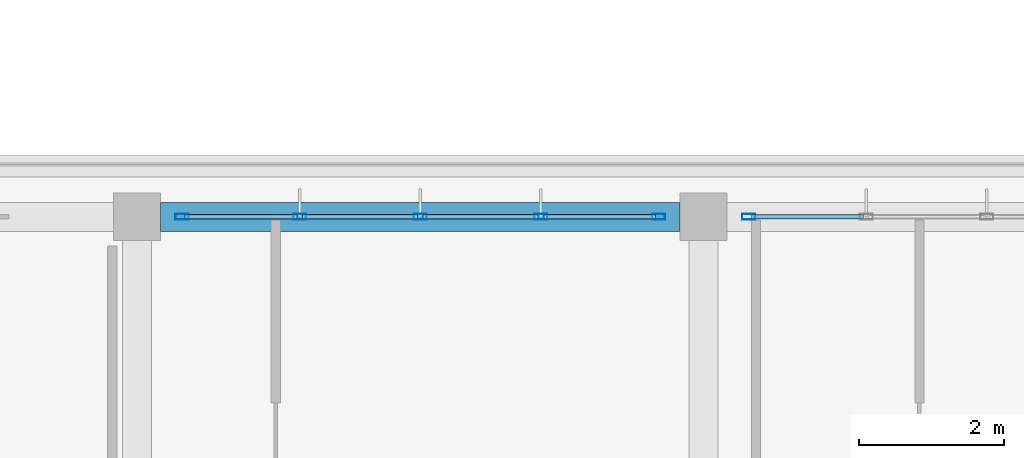
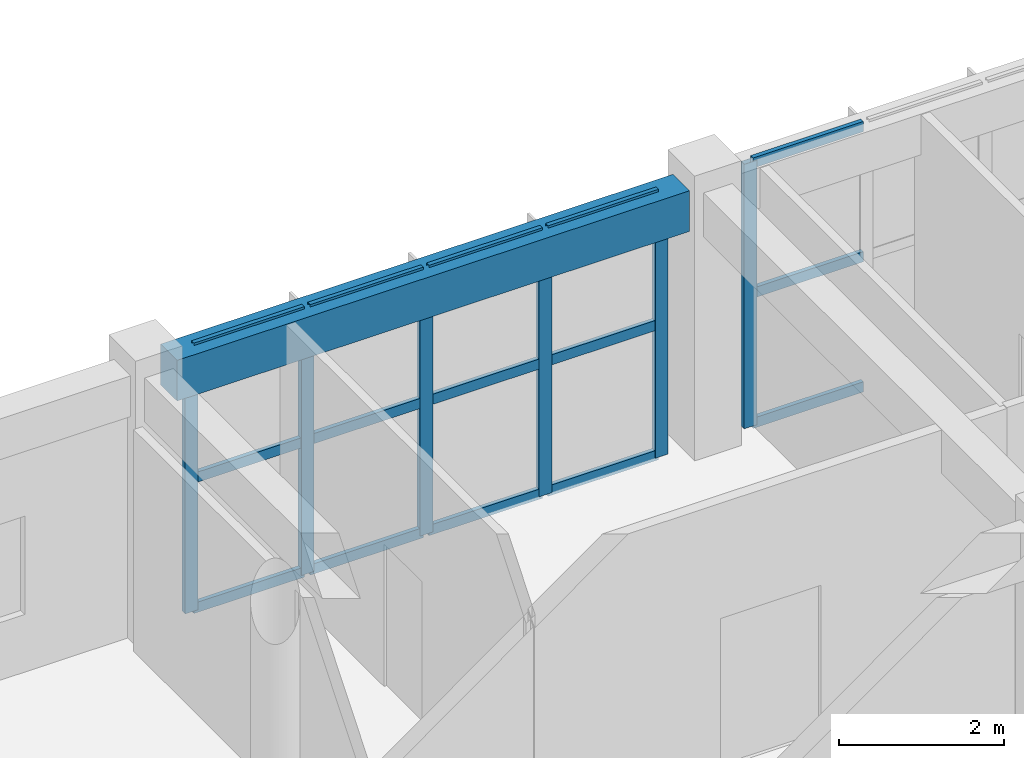
# One storey, part 11 of 57: 21 members, 1 beam, 2 elements without a shape of their own.
"""IFC4 building model written with IfcOpenShell, lengths in metres."""

from ifc_helpers import new_model, si_unit, direction, frame, origin, origin_2d, place, context, subcontext, project, spatial, rectangle, hollow_rectangle, extrude, material, layer, layer_set, material_profile, profile_set, type_object, element, aggregate, save


model = new_model("IFC4")

# Units and contexts
model_context = context("Model", 3, precision=1e-05, world=origin(), true_north=direction((0.0, 1.0)))
body_context = subcontext(model_context, "Body", "Model", "MODEL_VIEW")
ifc_project = project(units=[si_unit("LENGTHUNIT", "METRE"), si_unit("AREAUNIT", "SQUARE_METRE"), si_unit("VOLUMEUNIT", "CUBIC_METRE"), si_unit("PLANEANGLEUNIT", "RADIAN"), si_unit("MASSUNIT", "GRAM", prefix="KILO")], contexts=[model_context])

# Site, building, storey
site_placement = place(None, origin())
site = spatial("IfcSite", under=ifc_project, at=site_placement, CompositionType="ELEMENT")
building_placement = place(site_placement, origin())
building = spatial("IfcBuilding", under=site, at=building_placement, Name="Zizhar Promenade General Hospital", CompositionType="ELEMENT")
storey_placement = place(building_placement, frame((0.0, 0.0, 22.199951171875)))
storey = spatial("IfcBuildingStorey", under=building, at=storey_placement, Name="L05", CompositionType="ELEMENT", Elevation=22.199951171875)

# Beam
ifc_material_1 = material(Name="Concrete C35/45", Category="concrete")
ifc_material_profile_1 = material_profile(ifc_material_1, rectangle(XDim=0.39990234375, YDim=0.60009765625, at=origin_2d()))
ifc_profile_set_1 = profile_set([ifc_material_profile_1], Name="Concrete C35/45")
beam_type = type_object("IfcBeamType", Name="BM-RC-400x600", PredefinedType="JOIST", material=ifc_profile_set_1)
beam_placement = place(storey_placement, frame((39.324951171875, 25.199951171875, 3.610107421875), z_axis=(1.0, 0.0, 0.0), x_axis=(0.0, 1.0, 0.0)))
element("IfcBeam", 1, at=beam_placement, inside=storey, type_object=beam_type, Name="Grid Beam X L05 (5-3)", PredefinedType="JOIST", context=body_context, shape_type="SweptSolid", body=[
    extrude(rectangle(XDim=0.39990234375, YDim=0.60009765625, at=origin_2d()), origin(), (0.0, 0.0, 1.0), 7.150146484375),
])

# Curtain wall, members
ifc_material_2 = material(Name="Anodised aluminium 6063-T6 and low-E glass", Category="aluminium")
ifc_layer = layer(ifc_material_2, 0.159912109375)
ifc_layer_set = layer_set([ifc_layer], Name="Anodised aluminium 6063-T6 and low-E glass")
curtain_wall_type = type_object("IfcCurtainWallType", Name="CW-WARD-RIB", PredefinedType="NOTDEFINED", material=ifc_layer_set)
curtain_wall_1_placement = place(storey_placement, origin())
curtain_wall_1 = element("IfcCurtainWall", 2, at=curtain_wall_1_placement, inside=storey, type_object=curtain_wall_type, Name="Ward Ribbon Curtain Wall L05-8-1", PredefinedType="NOTDEFINED")
ifc_material_3 = material(Name="Anodised aluminium 6063-T6", Category="aluminium")
ifc_material_profile_2 = material_profile(ifc_material_3, hollow_rectangle(XDim=0.080078125, YDim=0.179931640625, WallThickness=0.0048828125, at=origin_2d()))
ifc_profile_set_2 = profile_set([ifc_material_profile_2], Name="Anodised aluminium 6063-T6")
member_type_1 = type_object("IfcMemberType", Name="CWM-ALU-180x80", PredefinedType="MULLION", material=ifc_profile_set_2)
member_1_placement = place(storey_placement, frame((39.6201171875, 25.199951171875, 0.0), z_axis=(0.0, 0.0, 1.0), x_axis=(0.0, 1.0, 0.0)))
member_1 = element("IfcMember", 3, at=member_1_placement, type_object=member_type_1, Name="CW-13 mullion 1", PredefinedType="MULLION", context=body_context, shape_type="SweptSolid", body=[
    extrude(hollow_rectangle(XDim=0.080078125, YDim=0.179931640625, WallThickness=0.0048828125, at=origin_2d()), origin(), (0.0, 0.0, 1.0), 3.900146484375),
])
member_2_placement = place(storey_placement, frame((41.239990234375, 25.199951171875, 0.0), z_axis=(0.0, 0.0, 1.0), x_axis=(0.0, 1.0, 0.0)))
member_2 = element("IfcMember", 4, at=member_2_placement, type_object=member_type_1, Name="CW-13 mullion 2", PredefinedType="MULLION", context=body_context, shape_type="SweptSolid", body=[
    extrude(hollow_rectangle(XDim=0.080078125, YDim=0.179931640625, WallThickness=0.0048828125, at=origin_2d()), origin(), (0.0, 0.0, 1.0), 3.900146484375),
])
member_3_placement = place(storey_placement, frame((42.89990234375, 25.199951171875, 0.0), z_axis=(0.0, 0.0, 1.0), x_axis=(0.0, 1.0, 0.0)))
member_3 = element("IfcMember", 5, at=member_3_placement, type_object=member_type_1, Name="CW-13 mullion 3", PredefinedType="MULLION", context=body_context, shape_type="SweptSolid", body=[
    extrude(hollow_rectangle(XDim=0.080078125, YDim=0.179931640625, WallThickness=0.0048828125, at=origin_2d()), origin(), (0.0, 0.0, 1.0), 3.900146484375),
])
member_4_placement = place(storey_placement, frame((44.56005859375, 25.199951171875, 0.0), z_axis=(0.0, 0.0, 1.0), x_axis=(0.0, 1.0, 0.0)))
member_4 = element("IfcMember", 6, at=member_4_placement, type_object=member_type_1, Name="CW-13 mullion 4", PredefinedType="MULLION", context=body_context, shape_type="SweptSolid", body=[
    extrude(hollow_rectangle(XDim=0.080078125, YDim=0.179931640625, WallThickness=0.0048828125, at=origin_2d()), origin(), (0.0, 0.0, 1.0), 3.900146484375),
])
member_5_placement = place(storey_placement, frame((46.179931640625, 25.199951171875, 0.0), z_axis=(0.0, 0.0, 1.0), x_axis=(0.0, 1.0, 0.0)))
member_5 = element("IfcMember", 7, at=member_5_placement, type_object=member_type_1, Name="CW-13 mullion 5", PredefinedType="MULLION", context=body_context, shape_type="SweptSolid", body=[
    extrude(hollow_rectangle(XDim=0.080078125, YDim=0.179931640625, WallThickness=0.0048828125, at=origin_2d()), origin(), (0.0, 0.0, 1.0), 3.900146484375),
])

# Curtain wall, member
curtain_wall_2_placement = place(storey_placement, origin())
curtain_wall_2 = element("IfcCurtainWall", 8, at=curtain_wall_2_placement, inside=storey, type_object=curtain_wall_type, Name="Ward Ribbon Curtain Wall L05-8-2", PredefinedType="NOTDEFINED")
member_6_placement = place(storey_placement, frame((47.419921875, 25.199951171875, 0.0), z_axis=(0.0, 0.0, 1.0), x_axis=(0.0, 1.0, 0.0)))
member_6 = element("IfcMember", 9, at=member_6_placement, type_object=member_type_1, Name="CW-13 mullion 1", PredefinedType="MULLION", context=body_context, shape_type="SweptSolid", body=[
    extrude(hollow_rectangle(XDim=0.080078125, YDim=0.179931640625, WallThickness=0.0048828125, at=origin_2d()), origin(), (0.0, 0.0, 1.0), 3.900146484375),
])

# Member
ifc_material_4 = material(Name="Anodised aluminium 6063-T6", Category="aluminium")
ifc_material_profile_3 = material_profile(ifc_material_4, hollow_rectangle(XDim=0.06005859375, YDim=0.14990234375, WallThickness=0.00390625, at=origin_2d()))
ifc_profile_set_3 = profile_set([ifc_material_profile_3], Name="Anodised aluminium 6063-T6")
member_type_2 = type_object("IfcMemberType", Name="CWT-ALU-150x60", PredefinedType="USERDEFINED", material=ifc_profile_set_3)
member_7_placement = place(storey_placement, frame((39.659912109375, 25.199951171875, 0.030029296875), z_axis=(1.0, 0.0, 0.0), x_axis=(0.0, 1.0, 0.0)))
member_7 = element("IfcMember", 10, at=member_7_placement, type_object=member_type_2, Name="CW-13 transom 1.1", ObjectType="TRANSOM", PredefinedType="USERDEFINED", context=body_context, shape_type="SweptSolid", body=[
    extrude(hollow_rectangle(XDim=0.06005859375, YDim=0.14990234375, WallThickness=0.00390625, at=origin_2d()), origin(), (0.0, 0.0, 1.0), 1.5400390625),
])

member_8_placement = place(storey_placement, frame((39.659912109375, 25.199951171875, 1.949951171875), z_axis=(1.0, 0.0, 0.0), x_axis=(0.0, 1.0, 0.0)))
member_8 = element("IfcMember", 11, at=member_8_placement, type_object=member_type_2, Name="CW-13 transom 1.2", ObjectType="TRANSOM", PredefinedType="USERDEFINED", context=body_context, shape_type="SweptSolid", body=[
    extrude(hollow_rectangle(XDim=0.06005859375, YDim=0.14990234375, WallThickness=0.00390625, at=origin_2d()), origin(), (0.0, 0.0, 1.0), 1.5400390625),
])

member_9_placement = place(storey_placement, frame((39.659912109375, 25.199951171875, 3.8701171875), z_axis=(1.0, 0.0, 0.0), x_axis=(0.0, 1.0, 0.0)))
member_9 = element("IfcMember", 12, at=member_9_placement, type_object=member_type_2, Name="CW-13 transom 1.3", ObjectType="TRANSOM", PredefinedType="USERDEFINED", context=body_context, shape_type="SweptSolid", body=[
    extrude(hollow_rectangle(XDim=0.06005859375, YDim=0.14990234375, WallThickness=0.00390625, at=origin_2d()), origin(), (0.0, 0.0, 1.0), 1.5400390625),
])

member_10_placement = place(storey_placement, frame((41.280029296875, 25.199951171875, 0.030029296875), z_axis=(1.0, 0.0, 0.0), x_axis=(0.0, 1.0, 0.0)))
member_10 = element("IfcMember", 13, at=member_10_placement, type_object=member_type_2, Name="CW-13 transom 2.1", ObjectType="TRANSOM", PredefinedType="USERDEFINED", context=body_context, shape_type="SweptSolid", body=[
    extrude(hollow_rectangle(XDim=0.06005859375, YDim=0.14990234375, WallThickness=0.00390625, at=origin_2d()), origin(), (0.0, 0.0, 1.0), 1.580078125),
])

member_11_placement = place(storey_placement, frame((41.280029296875, 25.199951171875, 1.949951171875), z_axis=(1.0, 0.0, 0.0), x_axis=(0.0, 1.0, 0.0)))
member_11 = element("IfcMember", 14, at=member_11_placement, type_object=member_type_2, Name="CW-13 transom 2.2", ObjectType="TRANSOM", PredefinedType="USERDEFINED", context=body_context, shape_type="SweptSolid", body=[
    extrude(hollow_rectangle(XDim=0.06005859375, YDim=0.14990234375, WallThickness=0.00390625, at=origin_2d()), origin(), (0.0, 0.0, 1.0), 1.580078125),
])

member_12_placement = place(storey_placement, frame((41.280029296875, 25.199951171875, 3.8701171875), z_axis=(1.0, 0.0, 0.0), x_axis=(0.0, 1.0, 0.0)))
member_12 = element("IfcMember", 15, at=member_12_placement, type_object=member_type_2, Name="CW-13 transom 2.3", ObjectType="TRANSOM", PredefinedType="USERDEFINED", context=body_context, shape_type="SweptSolid", body=[
    extrude(hollow_rectangle(XDim=0.06005859375, YDim=0.14990234375, WallThickness=0.00390625, at=origin_2d()), origin(), (0.0, 0.0, 1.0), 1.580078125),
])

member_13_placement = place(storey_placement, frame((42.93994140625, 25.199951171875, 0.030029296875), z_axis=(1.0, 0.0, 0.0), x_axis=(0.0, 1.0, 0.0)))
member_13 = element("IfcMember", 16, at=member_13_placement, type_object=member_type_2, Name="CW-13 transom 3.1", ObjectType="TRANSOM", PredefinedType="USERDEFINED", context=body_context, shape_type="SweptSolid", body=[
    extrude(hollow_rectangle(XDim=0.06005859375, YDim=0.14990234375, WallThickness=0.00390625, at=origin_2d()), origin(), (0.0, 0.0, 1.0), 1.580078125),
])

member_14_placement = place(storey_placement, frame((42.93994140625, 25.199951171875, 1.949951171875), z_axis=(1.0, 0.0, 0.0), x_axis=(0.0, 1.0, 0.0)))
member_14 = element("IfcMember", 17, at=member_14_placement, type_object=member_type_2, Name="CW-13 transom 3.2", ObjectType="TRANSOM", PredefinedType="USERDEFINED", context=body_context, shape_type="SweptSolid", body=[
    extrude(hollow_rectangle(XDim=0.06005859375, YDim=0.14990234375, WallThickness=0.00390625, at=origin_2d()), origin(), (0.0, 0.0, 1.0), 1.580078125),
])

member_15_placement = place(storey_placement, frame((42.93994140625, 25.199951171875, 3.8701171875), z_axis=(1.0, 0.0, 0.0), x_axis=(0.0, 1.0, 0.0)))
member_15 = element("IfcMember", 18, at=member_15_placement, type_object=member_type_2, Name="CW-13 transom 3.3", ObjectType="TRANSOM", PredefinedType="USERDEFINED", context=body_context, shape_type="SweptSolid", body=[
    extrude(hollow_rectangle(XDim=0.06005859375, YDim=0.14990234375, WallThickness=0.00390625, at=origin_2d()), origin(), (0.0, 0.0, 1.0), 1.580078125),
])

member_16_placement = place(storey_placement, frame((44.60009765625, 25.199951171875, 0.030029296875), z_axis=(1.0, 0.0, 0.0), x_axis=(0.0, 1.0, 0.0)))
member_16 = element("IfcMember", 19, at=member_16_placement, type_object=member_type_2, Name="CW-13 transom 4.1", ObjectType="TRANSOM", PredefinedType="USERDEFINED", context=body_context, shape_type="SweptSolid", body=[
    extrude(hollow_rectangle(XDim=0.06005859375, YDim=0.14990234375, WallThickness=0.00390625, at=origin_2d()), origin(), (0.0, 0.0, 1.0), 1.539794921875),
])

member_17_placement = place(storey_placement, frame((44.60009765625, 25.199951171875, 1.949951171875), z_axis=(1.0, 0.0, 0.0), x_axis=(0.0, 1.0, 0.0)))
member_17 = element("IfcMember", 20, at=member_17_placement, type_object=member_type_2, Name="CW-13 transom 4.2", ObjectType="TRANSOM", PredefinedType="USERDEFINED", context=body_context, shape_type="SweptSolid", body=[
    extrude(hollow_rectangle(XDim=0.06005859375, YDim=0.14990234375, WallThickness=0.00390625, at=origin_2d()), origin(), (0.0, 0.0, 1.0), 1.539794921875),
])

member_18_placement = place(storey_placement, frame((44.60009765625, 25.199951171875, 3.8701171875), z_axis=(1.0, 0.0, 0.0), x_axis=(0.0, 1.0, 0.0)))
member_18 = element("IfcMember", 21, at=member_18_placement, type_object=member_type_2, Name="CW-13 transom 4.3", ObjectType="TRANSOM", PredefinedType="USERDEFINED", context=body_context, shape_type="SweptSolid", body=[
    extrude(hollow_rectangle(XDim=0.06005859375, YDim=0.14990234375, WallThickness=0.00390625, at=origin_2d()), origin(), (0.0, 0.0, 1.0), 1.539794921875),
])

aggregate(curtain_wall_1, [member_1, member_2, member_3, member_4, member_5, member_7, member_8, member_9, member_10, member_11, member_12, member_13, member_14, member_15, member_16, member_17, member_18])

member_19_placement = place(storey_placement, frame((47.4599609375, 25.199951171875, 0.030029296875), z_axis=(1.0, 0.0, 0.0), x_axis=(0.0, 1.0, 0.0)))
member_19 = element("IfcMember", 22, at=member_19_placement, type_object=member_type_2, Name="CW-13 transom 1.1", ObjectType="TRANSOM", PredefinedType="USERDEFINED", context=body_context, shape_type="SweptSolid", body=[
    extrude(hollow_rectangle(XDim=0.06005859375, YDim=0.14990234375, WallThickness=0.00390625, at=origin_2d()), origin(), (0.0, 0.0, 1.0), 1.5400390625),
])

member_20_placement = place(storey_placement, frame((47.4599609375, 25.199951171875, 1.949951171875), z_axis=(1.0, 0.0, 0.0), x_axis=(0.0, 1.0, 0.0)))
member_20 = element("IfcMember", 23, at=member_20_placement, type_object=member_type_2, Name="CW-13 transom 1.2", ObjectType="TRANSOM", PredefinedType="USERDEFINED", context=body_context, shape_type="SweptSolid", body=[
    extrude(hollow_rectangle(XDim=0.06005859375, YDim=0.14990234375, WallThickness=0.00390625, at=origin_2d()), origin(), (0.0, 0.0, 1.0), 1.5400390625),
])

member_21_placement = place(storey_placement, frame((47.4599609375, 25.199951171875, 3.8701171875), z_axis=(1.0, 0.0, 0.0), x_axis=(0.0, 1.0, 0.0)))
member_21 = element("IfcMember", 24, at=member_21_placement, type_object=member_type_2, Name="CW-13 transom 1.3", ObjectType="TRANSOM", PredefinedType="USERDEFINED", context=body_context, shape_type="SweptSolid", body=[
    extrude(hollow_rectangle(XDim=0.06005859375, YDim=0.14990234375, WallThickness=0.00390625, at=origin_2d()), origin(), (0.0, 0.0, 1.0), 1.5400390625),
])

aggregate(curtain_wall_2, [member_6, member_19, member_20, member_21])

save(model, "model.ifc")
